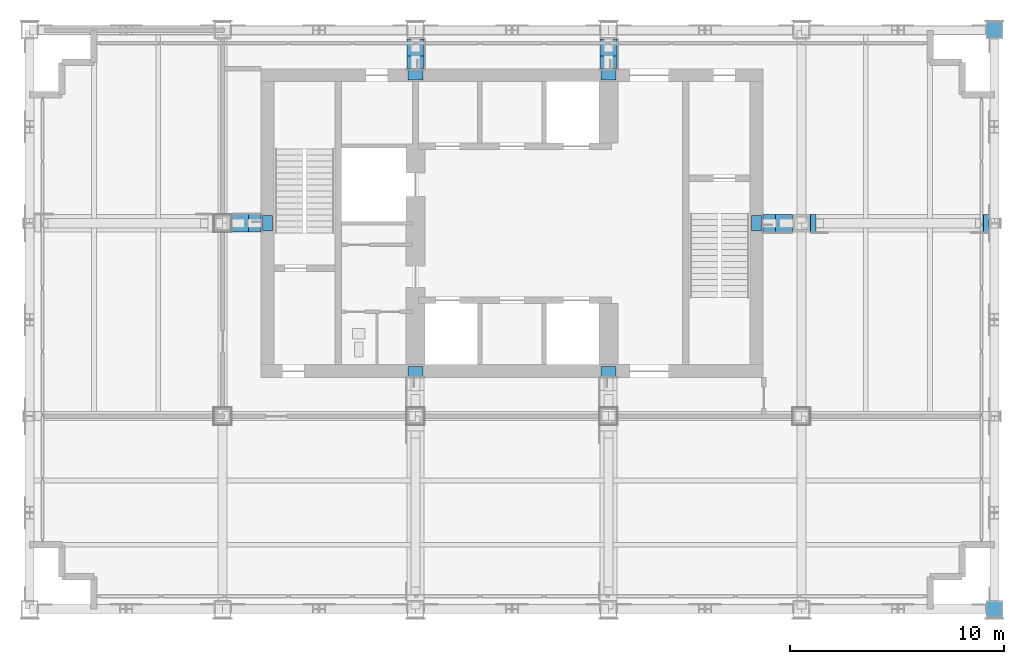
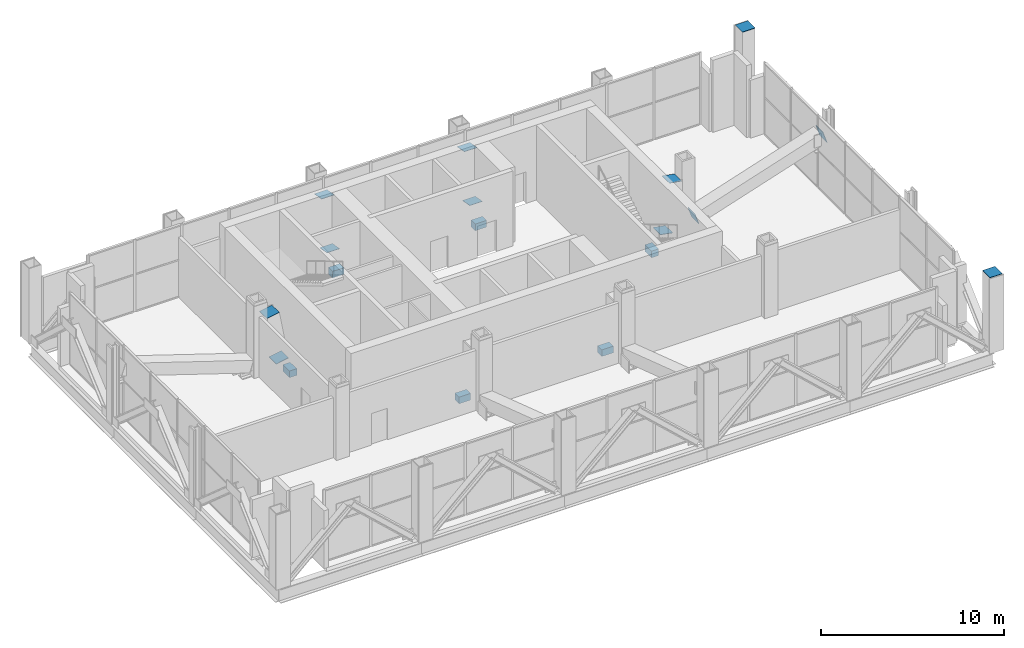
# One storey, part 11 of 13: 18 discrete accessories.
"""IFC4 building model written with IfcOpenShell, lengths in metres."""

from ifc_helpers import new_model, si_unit, direction, frame, origin, origin_2d, place, context, subcontext, project, spatial, rectangle, extrude, material, layer, layer_set, type_object, element, save


model = new_model("IFC4")

# Units and contexts
model_context = context("Model", 3, precision=1e-05, world=origin(), true_north=direction((0.0, 1.0)))
body_context = subcontext(model_context, "Body", "Model", "MODEL_VIEW")
ifc_project = project(units=[si_unit("LENGTHUNIT", "METRE"), si_unit("AREAUNIT", "SQUARE_METRE"), si_unit("VOLUMEUNIT", "CUBIC_METRE"), si_unit("PLANEANGLEUNIT", "RADIAN"), si_unit("MASSUNIT", "GRAM", prefix="KILO")], contexts=[model_context])

# Site, building, storey
site_placement = place(None, origin())
site = spatial("IfcSite", under=ifc_project, at=site_placement, CompositionType="ELEMENT")
building_placement = place(site_placement, origin())
building = spatial("IfcBuilding", under=site, at=building_placement, Name="Loomwork Tower", CompositionType="ELEMENT")
storey_placement = place(building_placement, frame((0.0, 0.0, 221.60009765625)))
storey = spatial("IfcBuildingStorey", under=building, at=storey_placement, Name="L61", CompositionType="ELEMENT", Elevation=221.60009765625)

# Discrete accessories
ifc_material_1 = material(Name="Steel ASTM A706 Grade 60", Category="steel")
discrete_accessory_type_1 = type_object("IfcDiscreteAccessoryType", Name="Outrigger core-wall anchor bar group", PredefinedType="USERDEFINED", material=ifc_material_1)
discrete_accessory_1_placement = place(storey_placement, frame((33.910888671875, 18.0, -0.769775390625), z_axis=(0.0, 0.0, 1.0), x_axis=(1.0, 0.0, 0.0)))
element("IfcDiscreteAccessory", 1, at=discrete_accessory_1_placement, inside=storey, type_object=discrete_accessory_type_1, Name="Outrigger core-wall anchor bar group 36,18-33.9,18 L61", ObjectType="ANCHOR BAR GROUP", PredefinedType="USERDEFINED", context=body_context, shape_type="SweptSolid", body=[
    extrude(rectangle(XDim=0.4599609375, YDim=0.719970703125, at=origin_2d()), origin(), (0.0, 0.0, 1.0), 0.43994140625),
])
for number, where, z_axis, x_axis, name in (
    (2, (27.0, 11.089111328125, -0.769775390625), (0.0, 0.0, 1.0), (1.0, 0.0, 0.0), "Outrigger core-wall anchor bar group 27,9-27,11.1 L61"),
    (3, (27.0, 24.910888671875, -0.769775390625), (0.0, 0.0, 1.0), (1.0, 0.0, 0.0), "Outrigger core-wall anchor bar group 27,27-27,24.9 L61"),
    (4, (18.0, 11.089111328125, -0.769775390625), (0.0, 0.0, 1.0), (1.0, 0.0, 0.0), "Outrigger core-wall anchor bar group 18,9-18,11.1 L61"),
    (5, (18.0, 24.910888671875, -0.769775390625), (0.0, 0.0, 1.0), (1.0, 0.0, 0.0), "Outrigger core-wall anchor bar group 18,27-18,24.9 L61"),
):
    element("IfcDiscreteAccessory", number, at=place(storey_placement, frame(where, z_axis=z_axis, x_axis=x_axis)), inside=storey, type_object=discrete_accessory_type_1, Name=name, ObjectType="ANCHOR BAR GROUP", PredefinedType="USERDEFINED", context=body_context, shape_type="SweptSolid", body=[
        extrude(rectangle(XDim=0.719970703125, YDim=0.4599609375, at=origin_2d()), origin(), (0.0, 0.0, 1.0), 0.43994140625),
    ])
discrete_accessory_2_placement = place(storey_placement, frame((11.089111328125, 18.0, -0.769775390625), z_axis=(0.0, 0.0, 1.0), x_axis=(1.0, 0.0, 0.0)))
element("IfcDiscreteAccessory", 6, at=discrete_accessory_2_placement, inside=storey, type_object=discrete_accessory_type_1, Name="Outrigger core-wall anchor bar group 9,18-11.1,18 L61", ObjectType="ANCHOR BAR GROUP", PredefinedType="USERDEFINED", context=body_context, shape_type="SweptSolid", body=[
    extrude(rectangle(XDim=0.4599609375, YDim=0.719970703125, at=origin_2d()), origin(), (0.0, 0.0, 1.0), 0.43994140625),
])
ifc_material_2 = material(Name="Steel ASTM A572 Grade 50", Category="steel")
ifc_layer = layer(ifc_material_2, 0.02490234375)
ifc_layer_set = layer_set([ifc_layer], Name="Steel end cap plate 25")
discrete_accessory_type_2 = type_object("IfcDiscreteAccessoryType", Name="Steel end cap plate 25", PredefinedType="USERDEFINED", material=ifc_layer_set)
for number, where, z_axis, x_axis, name in (
    (7, (45.0, 0.0, 4.9990234375), (0.0, 0.0, 1.0), (1.0, 0.0, 0.0), "Column end cap plate Exoskeleton Pier D/7 L61"),
    (8, (45.0, 27.0, 4.9990234375), (0.0, 0.0, 1.0), (1.0, 0.0, 0.0), "Column end cap plate Exoskeleton Pier G/7 L61"),
):
    element("IfcDiscreteAccessory", number, at=place(storey_placement, frame(where, z_axis=z_axis, x_axis=x_axis)), inside=storey, type_object=discrete_accessory_type_2, Name=name, ObjectType="END PLATE", PredefinedType="USERDEFINED", context=body_context, shape_type="SweptSolid", body=[
        extrude(rectangle(XDim=0.800048828125, YDim=0.800048828125, at=origin_2d()), origin(), (0.0, 0.0, 1.0), 0.02490234375),
    ])
discrete_accessory_3_placement = place(storey_placement, frame((9.80859375, 18.0, 3.75244140625), z_axis=(-0.175453264378, 0.0, 0.984487761234), x_axis=(0.0, -1.0, 0.0)))
element("IfcDiscreteAccessory", 9, at=discrete_accessory_3_placement, inside=storey, type_object=discrete_accessory_type_2, Name="Outrigger diagonal end seal plate F/3/1 p0", ObjectType="END PLATE", PredefinedType="USERDEFINED", context=body_context, shape_type="SweptSolid", body=[
    extrude(rectangle(XDim=0.800048828125, YDim=0.800048828125, at=origin_2d()), origin(), (0.0, 0.0, 1.0), 0.025146484375),
])
for number, where, z_axis, x_axis, name in (
    (10, (10.391357421875, 18.0, 0.540283203125), (0.177152998315, 0.0, -0.984183323974), (0.0, 1.0, 0.0), "Outrigger diagonal end seal plate F/3/1 p1"),
    (11, (44.59814453125, 18.0, 3.454833984375), (0.949657780128, 0.0, 0.313289164578), (0.0, 1.0, 0.0), "Outrigger diagonal end seal plate F/7/0 p0"),
):
    element("IfcDiscreteAccessory", number, at=place(storey_placement, frame(where, z_axis=z_axis, x_axis=x_axis)), inside=storey, type_object=discrete_accessory_type_2, Name=name, ObjectType="END PLATE", PredefinedType="USERDEFINED", context=body_context, shape_type="SweptSolid", body=[
        extrude(rectangle(XDim=0.800048828125, YDim=0.800048828125, at=origin_2d()), origin(), (0.0, 0.0, 1.0), 0.02490234375),
    ])
for number, where, z_axis, x_axis, name in (
    (12, (36.552001953125, 18.0, 0.837890625), (-0.950605456491, 0.0, -0.310401781711), (0.0, -1.0, 0.0), "Outrigger diagonal end seal plate F/7/0 p1"),
    (13, (35.19140625, 18.0, 3.75244140625), (0.175453264378, 0.0, 0.984487761234), (0.0, 1.0, 0.0), "Outrigger diagonal end seal plate F/6/1 p0"),
):
    element("IfcDiscreteAccessory", number, at=place(storey_placement, frame(where, z_axis=z_axis, x_axis=x_axis)), inside=storey, type_object=discrete_accessory_type_2, Name=name, ObjectType="END PLATE", PredefinedType="USERDEFINED", context=body_context, shape_type="SweptSolid", body=[
        extrude(rectangle(XDim=0.800048828125, YDim=0.800048828125, at=origin_2d()), origin(), (0.0, 0.0, 1.0), 0.025146484375),
    ])
discrete_accessory_4_placement = place(storey_placement, frame((34.608642578125, 18.0, 0.540283203125), z_axis=(-0.177152998315, 0.0, -0.984183323974), x_axis=(0.0, -1.0, 0.0)))
element("IfcDiscreteAccessory", 14, at=discrete_accessory_4_placement, inside=storey, type_object=discrete_accessory_type_2, Name="Outrigger diagonal end seal plate F/6/1 p1", ObjectType="END PLATE", PredefinedType="USERDEFINED", context=body_context, shape_type="SweptSolid", body=[
    extrude(rectangle(XDim=0.800048828125, YDim=0.800048828125, at=origin_2d()), origin(), (0.0, 0.0, 1.0), 0.02490234375),
])
discrete_accessory_5_placement = place(storey_placement, frame((18.0, 26.19140625, 3.749755859375), z_axis=(0.0, 0.175453264378, 0.984487761234), x_axis=(-1.0, 0.0, 0.0)))
element("IfcDiscreteAccessory", 15, at=discrete_accessory_5_placement, inside=storey, type_object=discrete_accessory_type_2, Name="Outrigger diagonal end seal plate G/4/0 p0", ObjectType="END PLATE", PredefinedType="USERDEFINED", context=body_context, shape_type="SweptSolid", body=[
    extrude(rectangle(XDim=0.800048828125, YDim=0.800048828125, at=origin_2d()), origin(), (0.0, 0.0, 1.0), 0.025146484375),
])
discrete_accessory_6_placement = place(storey_placement, frame((18.0, 25.608642578125, 0.540283203125), z_axis=(0.0, -0.177152998315, -0.984183323974), x_axis=(1.0, 0.0, 0.0)))
element("IfcDiscreteAccessory", 16, at=discrete_accessory_6_placement, inside=storey, type_object=discrete_accessory_type_2, Name="Outrigger diagonal end seal plate G/4/0 p1", ObjectType="END PLATE", PredefinedType="USERDEFINED", context=body_context, shape_type="SweptSolid", body=[
    extrude(rectangle(XDim=0.800048828125, YDim=0.800048828125, at=origin_2d()), origin(), (0.0, 0.0, 1.0), 0.02490234375),
])
discrete_accessory_7_placement = place(storey_placement, frame((27.0, 26.19140625, 3.749755859375), z_axis=(0.0, 0.175453264378, 0.984487761234), x_axis=(-1.0, 0.0, 0.0)))
element("IfcDiscreteAccessory", 17, at=discrete_accessory_7_placement, inside=storey, type_object=discrete_accessory_type_2, Name="Outrigger diagonal end seal plate G/5/0 p0", ObjectType="END PLATE", PredefinedType="USERDEFINED", context=body_context, shape_type="SweptSolid", body=[
    extrude(rectangle(XDim=0.800048828125, YDim=0.800048828125, at=origin_2d()), origin(), (0.0, 0.0, 1.0), 0.025146484375),
])
discrete_accessory_8_placement = place(storey_placement, frame((27.0, 25.608642578125, 0.540283203125), z_axis=(0.0, -0.177152998315, -0.984183323974), x_axis=(1.0, 0.0, 0.0)))
element("IfcDiscreteAccessory", 18, at=discrete_accessory_8_placement, inside=storey, type_object=discrete_accessory_type_2, Name="Outrigger diagonal end seal plate G/5/0 p1", ObjectType="END PLATE", PredefinedType="USERDEFINED", context=body_context, shape_type="SweptSolid", body=[
    extrude(rectangle(XDim=0.800048828125, YDim=0.800048828125, at=origin_2d()), origin(), (0.0, 0.0, 1.0), 0.02490234375),
])

save(model, "model.ifc")
